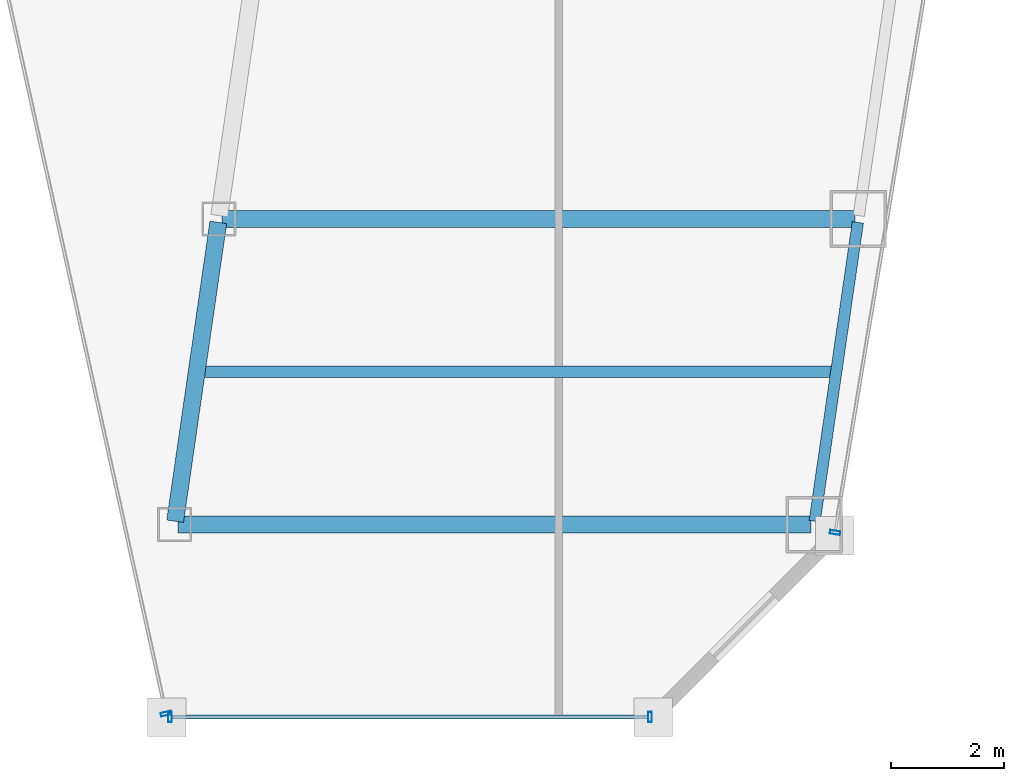
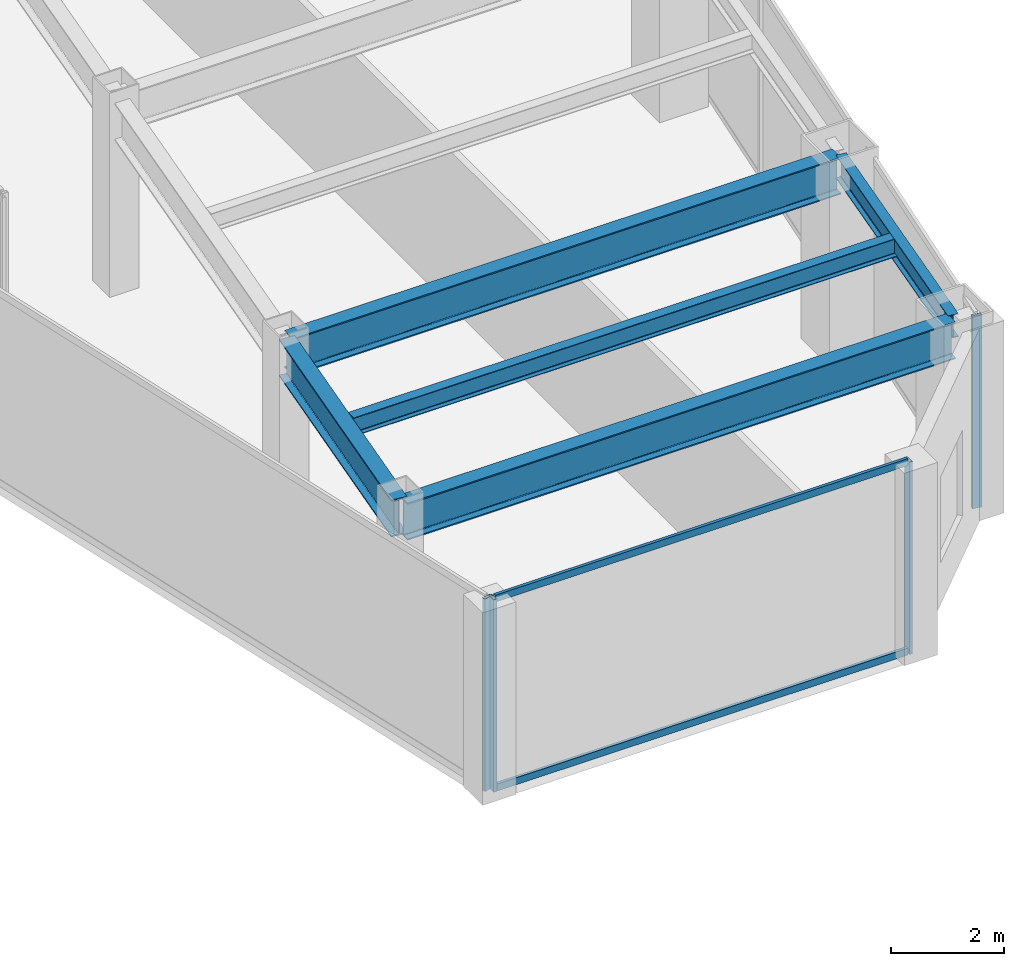
# One storey, part 15 of 37: 6 members, 5 beams, 3 elements without a shape of their own.
"""IFC4 building model written with IfcOpenShell, lengths in metres."""

from ifc_helpers import new_model, si_unit, direction, frame, origin, origin_2d, place, context, subcontext, project, spatial, hollow_rectangle, i_section, extrude, material, material_profile, profile_set, type_object, element, aggregate, save


model = new_model("IFC4")

# Units and contexts
model_context = context("Model", 3, precision=1e-05, world=origin(), true_north=direction((0.0, 1.0)))
body_context = subcontext(model_context, "Body", "Model", "MODEL_VIEW")
ifc_project = project(units=[si_unit("LENGTHUNIT", "METRE"), si_unit("AREAUNIT", "SQUARE_METRE"), si_unit("VOLUMEUNIT", "CUBIC_METRE"), si_unit("PLANEANGLEUNIT", "RADIAN"), si_unit("MASSUNIT", "GRAM", prefix="KILO")], contexts=[model_context])

# Site, building, storey
site_placement = place(None, origin())
site = spatial("IfcSite", under=ifc_project, at=site_placement, CompositionType="ELEMENT")
building_placement = place(site_placement, origin())
building = spatial("IfcBuilding", under=site, at=building_placement, Name="Saevonmaru Cultural Tower", CompositionType="ELEMENT")
storey_placement = place(building_placement, frame((0.0, 0.0, 110.39990234375)))
storey = spatial("IfcBuildingStorey", under=building, at=storey_placement, Name="L23", CompositionType="ELEMENT", Elevation=110.39990234375)

# Beams
ifc_material_1 = material(Name="Steel SM420", Category="steel")
ifc_material_profile_1 = material_profile(ifc_material_1, i_section(OverallWidth=0.300048828125, OverallDepth=0.800048828125, WebThickness=0.013916015625, FlangeThickness=0.02587890625, FilletRadius=0.028076171875, at=origin_2d()), Name="H-800x300x14x26")
ifc_profile_set_1 = profile_set([ifc_material_profile_1], Name="Steel SM420")
beam_type_1 = type_object("IfcBeamType", Name="BM-G-H800", PredefinedType="BEAM", material=ifc_profile_set_1)
beam_1_placement = place(storey_placement, frame((37.300537109375, 10.659423828125, 3.75), z_axis=(0.142977693794, 0.989725911087, 0.0), x_axis=(-0.989725911087, 0.142977693794, 0.0)))
element("IfcBeam", 1, at=beam_1_placement, inside=storey, type_object=beam_type_1, Name="L23 East Atrium Girder 1", PredefinedType="BEAM", context=body_context, shape_type="SweptSolid", body=[
    extrude(i_section(OverallWidth=0.300048828125, OverallDepth=0.800048828125, WebThickness=0.013916015625, FlangeThickness=0.02587890625, FilletRadius=0.028076171875, at=origin_2d()), origin(), (0.0, 0.0, 1.0), 5.336181640625),
])
for number, where, z_axis, x_axis, name in (
    (2, (37.35205078125, 10.60009765625, 3.75), (1.0, 0.0, 0.0), (0.0, 1.0, 0.0), "L23 East Wing Transverse Girder 1"),
    (3, (38.132080078125, 16.0, 3.75), (1.0, 0.0, 0.0), (0.0, 1.0, 0.0), "L23 East Wing Transverse Girder 2"),
):
    element("IfcBeam", number, at=place(storey_placement, frame(where, z_axis=z_axis, x_axis=x_axis)), inside=storey, type_object=beam_type_1, Name=name, PredefinedType="BEAM", context=body_context, shape_type="SweptSolid", body=[
        extrude(i_section(OverallWidth=0.300048828125, OverallDepth=0.800048828125, WebThickness=0.013916015625, FlangeThickness=0.02587890625, FilletRadius=0.028076171875, at=origin_2d()), origin(), (0.0, 0.0, 1.0), 11.179931640625),
    ])
ifc_material_2 = material(Name="Steel SM355", Category="steel")
ifc_material_profile_2 = material_profile(ifc_material_2, i_section(OverallWidth=0.199951171875, OverallDepth=0.39990234375, WebThickness=0.008056640625, FlangeThickness=0.012939453125, FilletRadius=0.01611328125, at=origin_2d()), Name="H-400x200x8x13")
ifc_profile_set_2 = profile_set([ifc_material_profile_2], Name="Steel SM355")
beam_type_2 = type_object("IfcBeamType", Name="BM-J-H400", PredefinedType="JOIST", material=ifc_profile_set_2)
beam_2_placement = place(storey_placement, frame((37.840087890625, 13.300048828125, 3.9501953125), z_axis=(1.0, 0.0, 0.0), x_axis=(0.0, 1.0, 0.0)))
element("IfcBeam", 4, at=beam_2_placement, inside=storey, type_object=beam_type_2, Name="L23 East Wing Floor Joist 1", PredefinedType="JOIST", context=body_context, shape_type="SweptSolid", body=[
    extrude(i_section(OverallWidth=0.199951171875, OverallDepth=0.39990234375, WebThickness=0.008056640625, FlangeThickness=0.012939453125, FilletRadius=0.01611328125, at=origin_2d()), origin(), (0.0, 0.0, 1.0), 11.08203125),
])
ifc_material_profile_3 = material_profile(ifc_material_2, i_section(OverallWidth=0.199951171875, OverallDepth=0.5, WebThickness=0.010009765625, FlangeThickness=0.01611328125, FilletRadius=0.02001953125, at=origin_2d()), Name="H-500x200x10x16")
ifc_profile_set_3 = profile_set([ifc_material_profile_3], Name="Steel SM355")
beam_type_3 = type_object("IfcBeamType", Name="BM-SP-H500", PredefinedType="SPANDREL", material=ifc_profile_set_3)
beam_3_placement = place(storey_placement, frame((48.6005859375, 10.659423828125, 3.900146484375), z_axis=(0.1429328758, 0.989732384544, 0.0), x_axis=(-0.989732384544, 0.1429328758, 0.0)))
element("IfcBeam", 5, at=beam_3_placement, inside=storey, type_object=beam_type_3, Name="L23 East Splayed Spandrel 1", PredefinedType="SPANDREL", context=body_context, shape_type="SweptSolid", body=[
    extrude(i_section(OverallWidth=0.199951171875, OverallDepth=0.5, WebThickness=0.010009765625, FlangeThickness=0.01611328125, FilletRadius=0.02001953125, at=origin_2d()), origin(), (0.0, 0.0, 1.0), 5.3359375),
])

# Curtain wall, member
ifc_material_3 = material(Name="Satin Bronze Anodised Aluminium", Category="aluminium")
curtain_wall_type = type_object("IfcCurtainWallType", Name="CW-TYP-A", PredefinedType="NOTDEFINED", material=ifc_material_3)
curtain_wall_1_placement = place(storey_placement, origin())
curtain_wall_1 = element("IfcCurtainWall", 6, at=curtain_wall_1_placement, inside=storey, type_object=curtain_wall_type, Name="L23 Unitised Curtain Wall E5", PredefinedType="NOTDEFINED")
ifc_material_profile_4 = material_profile(ifc_material_3, hollow_rectangle(XDim=0.06494140625, YDim=0.179931640625, WallThickness=0.00390625, at=origin_2d()), Name="ALU-MULL-180x65x4")
ifc_profile_set_4 = profile_set([ifc_material_profile_4], Name="Satin Bronze Anodised Aluminium")
member_type_1 = type_object("IfcMemberType", Name="ML-CW-180x65", PredefinedType="MULLION", material=ifc_profile_set_4)
member_1_placement = place(storey_placement, frame((37.13818359375, 7.258544921875, 0.0), z_axis=(0.0, 0.0, 1.0), x_axis=(0.215413319953, -0.976522965212, 0.0)))
member_1 = element("IfcMember", 7, at=member_1_placement, type_object=member_type_1, Name="CW-TW-L23-E5 mullion 2", PredefinedType="MULLION", context=body_context, shape_type="SweptSolid", body=[
    extrude(hollow_rectangle(XDim=0.06494140625, YDim=0.179931640625, WallThickness=0.00390625, at=origin_2d()), origin(), (0.0, 0.0, 1.0), 4.150146484375),
])
aggregate(curtain_wall_1, [member_1])

# Curtain wall, members
curtain_wall_2_placement = place(storey_placement, origin())
curtain_wall_2 = element("IfcCurtainWall", 8, at=curtain_wall_2_placement, inside=storey, type_object=curtain_wall_type, Name="L23 Unitised Curtain Wall E6", PredefinedType="NOTDEFINED")
member_2_placement = place(storey_placement, frame((37.211181640625, 7.199951171875, 0.0), z_axis=(0.0, 0.0, 1.0), x_axis=(1.0, 0.0, 0.0)))
member_2 = element("IfcMember", 9, at=member_2_placement, type_object=member_type_1, Name="CW-TW-L23-E6 mullion 1", PredefinedType="MULLION", context=body_context, shape_type="SweptSolid", body=[
    extrude(hollow_rectangle(XDim=0.06494140625, YDim=0.179931640625, WallThickness=0.00390625, at=origin_2d()), origin(), (0.0, 0.0, 1.0), 4.150146484375),
])
member_3_placement = place(storey_placement, frame((45.691162109375, 7.199951171875, 0.0), z_axis=(0.0, 0.0, 1.0), x_axis=(1.0, 0.0, 0.0)))
member_3 = element("IfcMember", 10, at=member_3_placement, type_object=member_type_1, Name="CW-TW-L23-E6 mullion 2", PredefinedType="MULLION", context=body_context, shape_type="SweptSolid", body=[
    extrude(hollow_rectangle(XDim=0.06494140625, YDim=0.179931640625, WallThickness=0.00390625, at=origin_2d()), origin(), (0.0, 0.0, 1.0), 4.150146484375),
])

# Curtain wall, member
curtain_wall_3_placement = place(storey_placement, origin())
curtain_wall_3 = element("IfcCurtainWall", 11, at=curtain_wall_3_placement, inside=storey, type_object=curtain_wall_type, Name="L23 Unitised Curtain Wall E8", PredefinedType="NOTDEFINED")
member_4_placement = place(storey_placement, frame((48.9609375, 10.459228515625, 0.0), z_axis=(0.0, 0.0, 1.0), x_axis=(0.163998702345, 0.986460554523, 0.0)))
member_4 = element("IfcMember", 12, at=member_4_placement, type_object=member_type_1, Name="CW-TW-L23-E8 mullion 1", PredefinedType="MULLION", context=body_context, shape_type="SweptSolid", body=[
    extrude(hollow_rectangle(XDim=0.06494140625, YDim=0.179931640625, WallThickness=0.00390625, at=origin_2d()), origin(), (0.0, 0.0, 1.0), 4.150146484375),
])
aggregate(curtain_wall_3, [member_4])

# Member
ifc_material_profile_5 = material_profile(ifc_material_3, hollow_rectangle(XDim=0.06494140625, YDim=0.14990234375, WallThickness=0.00390625, at=origin_2d()), Name="ALU-TRAN-150x65x4")
ifc_profile_set_5 = profile_set([ifc_material_profile_5], Name="Satin Bronze Anodised Aluminium")
member_type_2 = type_object("IfcMemberType", Name="TR-CW-150x65", PredefinedType="USERDEFINED", material=ifc_profile_set_5)
member_5_placement = place(storey_placement, frame((37.24365234375, 7.199951171875, 0.03271484375), z_axis=(1.0, 0.0, 0.0), x_axis=(0.0, 1.0, 0.0)))
member_5 = element("IfcMember", 13, at=member_5_placement, type_object=member_type_2, Name="CW-TW-L23-E6 transom 1.1", ObjectType="TRANSOM", PredefinedType="USERDEFINED", context=body_context, shape_type="SweptSolid", body=[
    extrude(hollow_rectangle(XDim=0.06494140625, YDim=0.14990234375, WallThickness=0.00390625, at=origin_2d()), origin(), (0.0, 0.0, 1.0), 8.4150390625),
])

member_6_placement = place(storey_placement, frame((37.24365234375, 7.199951171875, 4.11767578125), z_axis=(1.0, 0.0, 0.0), x_axis=(0.0, 1.0, 0.0)))
member_6 = element("IfcMember", 14, at=member_6_placement, type_object=member_type_2, Name="CW-TW-L23-E6 transom 1.2", ObjectType="TRANSOM", PredefinedType="USERDEFINED", context=body_context, shape_type="SweptSolid", body=[
    extrude(hollow_rectangle(XDim=0.06494140625, YDim=0.14990234375, WallThickness=0.00390625, at=origin_2d()), origin(), (0.0, 0.0, 1.0), 8.4150390625),
])

aggregate(curtain_wall_2, [member_2, member_3, member_5, member_6])

save(model, "model.ifc")
